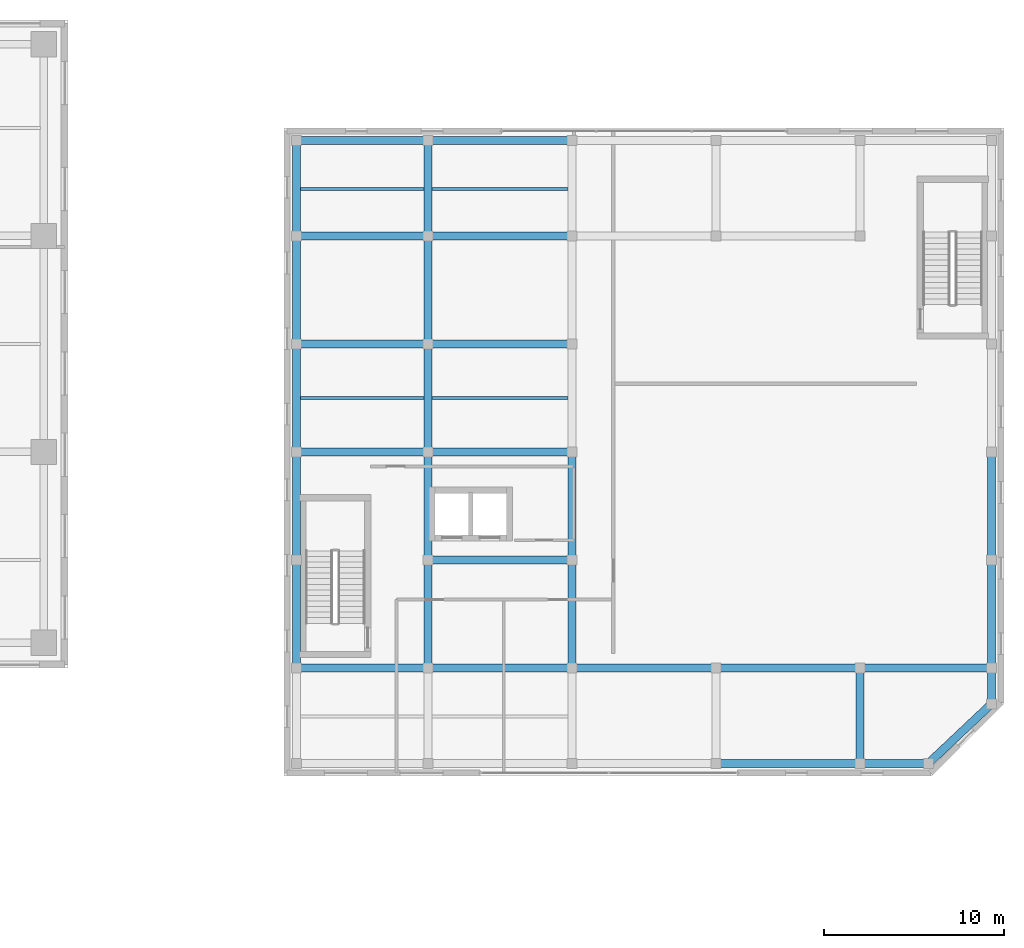
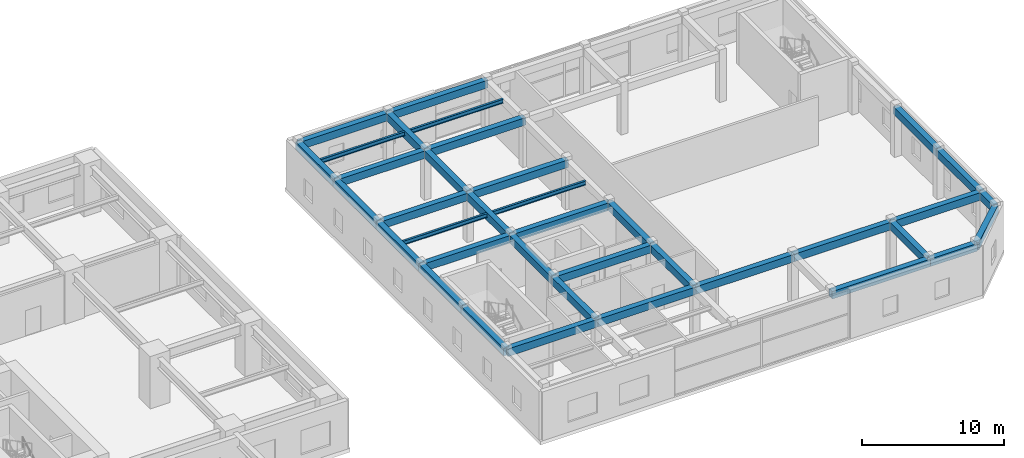
# One storey, part 13 of 26: 37 beams.
"""IFC4 building model written with IfcOpenShell, lengths in metres."""

from ifc_helpers import new_model, si_unit, direction, frame, origin, origin_2d, place, context, subcontext, project, spatial, rectangle, i_section, extrude, source, transform, mapped, material, material_profile, profile_set, type_object, element, save


model = new_model("IFC4")

# Units and contexts
model_context = context("Model", 3, precision=1e-05, world=origin(), true_north=direction((0.0, 1.0)))
body_context = subcontext(model_context, "Body", "Model", "MODEL_VIEW")
ifc_project = project(units=[si_unit("LENGTHUNIT", "METRE"), si_unit("AREAUNIT", "SQUARE_METRE"), si_unit("VOLUMEUNIT", "CUBIC_METRE"), si_unit("PLANEANGLEUNIT", "RADIAN"), si_unit("MASSUNIT", "GRAM", prefix="KILO")], contexts=[model_context])

# Site, building, storey
site_placement = place(None, origin())
site = spatial("IfcSite", under=ifc_project, at=site_placement, CompositionType="ELEMENT")
building_placement = place(site_placement, origin())
building = spatial("IfcBuilding", under=site, at=building_placement, Name="Khoralis Quay Care Tower", CompositionType="ELEMENT")
storey_placement = place(building_placement, frame((0.0, 0.0, 13.5)))
storey = spatial("IfcBuildingStorey", under=building, at=storey_placement, Name="L03", CompositionType="ELEMENT", Elevation=13.5)

# Beams
ifc_material_1 = material(Name="Concrete C40/50", Category="concrete")
ifc_material_profile_1 = material_profile(ifc_material_1, rectangle(XDim=0.449951171875, YDim=0.64990234375, at=origin_2d()), Name="Concrete C40/50")
ifc_profile_set_1 = profile_set([ifc_material_profile_1], Name="Concrete C40/50")
beam_type_1 = type_object("IfcBeamType", Name="BM-RC450X650", PredefinedType="BEAM", material=ifc_profile_set_1)
shared_shape_1 = source(origin(), body_context, "Body", "SweptSolid", [
    extrude(rectangle(XDim=0.449951171875, YDim=0.64990234375, at=origin_2d()), origin(), (0.0, 0.0, 1.0), 7.300048828125),
])
for number, where, z_axis, x_axis, name in (
    (1, (68.699951171875, 12.0, 3.875), (1.0, 0.0, 0.0), (0.0, 1.0, 0.0), "BM-SCX-L03-05"),
    (2, (100.0, 12.0, 3.875), (1.0, 0.0, 0.0), (0.0, 1.0, 0.0), "BM-SCX-L03-09"),
    (3, (68.699951171875, 24.0, 3.875), (1.0, 0.0, 0.0), (0.0, 1.0, 0.0), "BM-SCX-L03-11"),
    (4, (68.699951171875, 30.0, 3.875), (1.0, 0.0, 0.0), (0.0, 1.0, 0.0), "BM-SCX-L03-13"),
    (5, (68.699951171875, 36.0, 3.875), (1.0, 0.0, 0.0), (0.0, 1.0, 0.0), "BM-SCX-L03-15"),
    (6, (68.699951171875, 41.300048828125, 3.875), (1.0, 0.0, 0.0), (0.0, 1.0, 0.0), "BM-SCX-L03-19"),
):
    element("IfcBeam", number, at=place(storey_placement, frame(where, z_axis=z_axis, x_axis=x_axis)), inside=storey, type_object=beam_type_1, Name=name, PredefinedType="BEAM", context=body_context, shape_type="MappedRepresentation", body=[
        mapped(shared_shape_1, transform((0.0, 0.0, 0.0), scale=1.0)),
    ])
shared_shape_2 = source(origin(), body_context, "Body", "SweptSolid", [
    extrude(rectangle(XDim=0.449951171875, YDim=0.64990234375, at=origin_2d()), origin(), (0.0, 0.0, 1.0), 8.0),
])
for number, where, z_axis, x_axis, name in (
    (7, (92.0, 6.699951171875, 3.875), (1.0, 0.0, 0.0), (0.0, 1.0, 0.0), "BM-SCX-L03-04"),
    (8, (76.0, 12.0, 3.875), (1.0, 0.0, 0.0), (0.0, 1.0, 0.0), "BM-SCX-L03-06"),
    (9, (84.0, 12.0, 3.875), (1.0, 0.0, 0.0), (0.0, 1.0, 0.0), "BM-SCX-L03-07"),
    (10, (92.0, 12.0, 3.875), (1.0, 0.0, 0.0), (0.0, 1.0, 0.0), "BM-SCX-L03-08"),
    (11, (76.0, 18.0, 3.875), (1.0, 0.0, 0.0), (0.0, 1.0, 0.0), "BM-SCX-L03-10"),
    (12, (76.0, 24.0, 3.875), (1.0, 0.0, 0.0), (0.0, 1.0, 0.0), "BM-SCX-L03-12"),
    (13, (76.0, 30.0, 3.875), (1.0, 0.0, 0.0), (0.0, 1.0, 0.0), "BM-SCX-L03-14"),
    (14, (76.0, 36.0, 3.875), (1.0, 0.0, 0.0), (0.0, 1.0, 0.0), "BM-SCX-L03-16"),
    (15, (76.0, 41.300048828125, 3.875), (1.0, 0.0, 0.0), (0.0, 1.0, 0.0), "BM-SCX-L03-20"),
):
    element("IfcBeam", number, at=place(storey_placement, frame(where, z_axis=z_axis, x_axis=x_axis)), inside=storey, type_object=beam_type_1, Name=name, PredefinedType="BEAM", context=body_context, shape_type="MappedRepresentation", body=[
        mapped(shared_shape_2, transform((0.0, 0.0, 0.0), scale=1.0)),
    ])
shared_shape_3 = source(origin(), body_context, "Body", "SweptSolid", [
    extrude(rectangle(XDim=0.449951171875, YDim=0.64990234375, at=origin_2d()), origin(), (0.0, 0.0, 1.0), 5.300048828125),
])
for number, where, z_axis, x_axis, name in (
    (16, (68.699951171875, 36.0, 3.875), (0.0, 1.0, 0.0), (-1.0, 0.0, 0.0), "BM-SCY-L03-29"),
    (17, (76.0, 36.0, 3.875), (0.0, 1.0, 0.0), (-1.0, 0.0, 0.0), "BM-SCY-L03-35"),
    (18, (100.0, 6.699951171875, 3.875), (0.0, 1.0, 0.0), (-1.0, 0.0, 0.0), "BM-SCY-L03-44"),
):
    element("IfcBeam", number, at=place(storey_placement, frame(where, z_axis=z_axis, x_axis=x_axis)), inside=storey, type_object=beam_type_1, Name=name, PredefinedType="BEAM", context=body_context, shape_type="MappedRepresentation", body=[
        mapped(shared_shape_3, transform((0.0, 0.0, 0.0), scale=1.0)),
    ])
shared_shape_4 = source(origin(), body_context, "Body", "SweptSolid", [
    extrude(rectangle(XDim=0.449951171875, YDim=0.64990234375, at=origin_2d()), origin(), (0.0, 0.0, 1.0), 6.0),
])
for number, where, z_axis, x_axis, name in (
    (19, (68.699951171875, 12.0, 3.875), (0.0, 1.0, 0.0), (-1.0, 0.0, 0.0), "BM-SCY-L03-25"),
    (20, (68.699951171875, 18.0, 3.875), (0.0, 1.0, 0.0), (-1.0, 0.0, 0.0), "BM-SCY-L03-26"),
    (21, (68.699951171875, 24.0, 3.875), (0.0, 1.0, 0.0), (-1.0, 0.0, 0.0), "BM-SCY-L03-27"),
    (22, (68.699951171875, 30.0, 3.875), (0.0, 1.0, 0.0), (-1.0, 0.0, 0.0), "BM-SCY-L03-28"),
    (23, (76.0, 12.0, 3.875), (0.0, 1.0, 0.0), (-1.0, 0.0, 0.0), "BM-SCY-L03-31"),
    (24, (76.0, 18.0, 3.875), (0.0, 1.0, 0.0), (-1.0, 0.0, 0.0), "BM-SCY-L03-32"),
    (25, (76.0, 24.0, 3.875), (0.0, 1.0, 0.0), (-1.0, 0.0, 0.0), "BM-SCY-L03-33"),
    (26, (76.0, 30.0, 3.875), (0.0, 1.0, 0.0), (-1.0, 0.0, 0.0), "BM-SCY-L03-34"),
    (27, (84.0, 12.0, 3.875), (0.0, 1.0, 0.0), (-1.0, 0.0, 0.0), "BM-SCY-L03-37"),
    (28, (84.0, 18.0, 3.875), (0.0, 1.0, 0.0), (-1.0, 0.0, 0.0), "BM-SCY-L03-38"),
    (29, (107.300048828125, 12.0, 3.875), (0.0, 1.0, 0.0), (-1.0, 0.0, 0.0), "BM-SCY-L03-46"),
    (30, (107.300048828125, 18.0, 3.875), (0.0, 1.0, 0.0), (-1.0, 0.0, 0.0), "BM-SCY-L03-47"),
):
    element("IfcBeam", number, at=place(storey_placement, frame(where, z_axis=z_axis, x_axis=x_axis)), inside=storey, type_object=beam_type_1, Name=name, PredefinedType="BEAM", context=body_context, shape_type="MappedRepresentation", body=[
        mapped(shared_shape_4, transform((0.0, 0.0, 0.0), scale=1.0)),
    ])
shared_shape_5 = source(origin(), body_context, "Body", "SweptSolid", [
    extrude(rectangle(XDim=0.449951171875, YDim=0.64990234375, at=origin_2d()), origin(), (0.0, 0.0, 1.0), 3.800048828125),
])
beam_1_placement = place(storey_placement, frame((100.0, 6.699951171875, 3.875), z_axis=(1.0, 0.0, 0.0), x_axis=(0.0, 1.0, 0.0)))
element("IfcBeam", 31, at=beam_1_placement, inside=storey, type_object=beam_type_1, Name="BM-SCCH-L03-1", PredefinedType="BEAM", context=body_context, shape_type="MappedRepresentation", body=[
    mapped(shared_shape_5, transform((0.0, 0.0, 0.0), scale=1.0)),
])
shared_shape_6 = source(origin(), body_context, "Body", "SweptSolid", [
    extrude(rectangle(XDim=0.449951171875, YDim=0.64990234375, at=origin_2d()), origin(), (0.0, 0.0, 1.0), 4.810546875),
])
beam_2_placement = place(storey_placement, frame((103.800048828125, 6.699951171875, 3.875), z_axis=(0.727584339713, 0.686018242181, 0.0), x_axis=(-0.686018242181, 0.727584339713, 0.0)))
element("IfcBeam", 32, at=beam_2_placement, inside=storey, type_object=beam_type_1, Name="BM-SCCH-L03-2", PredefinedType="BEAM", context=body_context, shape_type="MappedRepresentation", body=[
    mapped(shared_shape_6, transform((0.0, 0.0, 0.0), scale=1.0)),
])
shared_shape_7 = source(origin(), body_context, "Body", "SweptSolid", [
    extrude(rectangle(XDim=0.449951171875, YDim=0.64990234375, at=origin_2d()), origin(), (0.0, 0.0, 1.0), 2.0),
])
beam_3_placement = place(storey_placement, frame((107.300048828125, 10.0, 3.875), z_axis=(0.0, 1.0, 0.0), x_axis=(-1.0, 0.0, 0.0)))
element("IfcBeam", 33, at=beam_3_placement, inside=storey, type_object=beam_type_1, Name="BM-SCCH-L03-3", PredefinedType="BEAM", context=body_context, shape_type="MappedRepresentation", body=[
    mapped(shared_shape_7, transform((0.0, 0.0, 0.0), scale=1.0)),
])
ifc_material_2 = material(Name="Steel S355", Category="steel")
ifc_material_profile_2 = material_profile(ifc_material_2, i_section(OverallWidth=0.1708984375, OverallDepth=0.35498046875, WebThickness=0.007080078125, FlangeThickness=0.01171875, FilletRadius=0.012939453125, at=origin_2d()), Name="Steel S355")
ifc_profile_set_2 = profile_set([ifc_material_profile_2], Name="Steel S355")
beam_type_2 = type_object("IfcBeamType", Name="BM-W360X51", PredefinedType="JOIST", material=ifc_profile_set_2)
shared_shape_8 = source(origin(), body_context, "Body", "SweptSolid", [
    extrude(i_section(OverallWidth=0.1708984375, OverallDepth=0.35498046875, WebThickness=0.007080078125, FlangeThickness=0.01171875, FilletRadius=0.012939453125, at=origin_2d()), origin(), (0.0, 0.0, 1.0), 6.8740234375),
])
for number, where, z_axis, x_axis, name in (
    (34, (68.9130859375, 27.0, 4.0224609375), (1.0, 0.0, 0.0), (0.0, 1.0, 0.0), "BM-SCJ-L03-53"),
    (35, (68.9130859375, 38.60009765625, 4.0224609375), (1.0, 0.0, 0.0), (0.0, 1.0, 0.0), "BM-SCJ-L03-55"),
):
    element("IfcBeam", number, at=place(storey_placement, frame(where, z_axis=z_axis, x_axis=x_axis)), inside=storey, type_object=beam_type_2, Name=name, PredefinedType="JOIST", context=body_context, shape_type="MappedRepresentation", body=[
        mapped(shared_shape_8, transform((0.0, 0.0, 0.0), scale=1.0)),
    ])
shared_shape_9 = source(origin(), body_context, "Body", "SweptSolid", [
    extrude(i_section(OverallWidth=0.1708984375, OverallDepth=0.35498046875, WebThickness=0.007080078125, FlangeThickness=0.01171875, FilletRadius=0.012939453125, at=origin_2d()), origin(), (0.0, 0.0, 1.0), 7.57421875),
])
for number, where, z_axis, x_axis, name in (
    (36, (76.212890625, 27.0, 4.0224609375), (1.0, 0.0, 0.0), (0.0, 1.0, 0.0), "BM-SCJ-L03-54"),
    (37, (76.212890625, 38.60009765625, 4.0224609375), (1.0, 0.0, 0.0), (0.0, 1.0, 0.0), "BM-SCJ-L03-56"),
):
    element("IfcBeam", number, at=place(storey_placement, frame(where, z_axis=z_axis, x_axis=x_axis)), inside=storey, type_object=beam_type_2, Name=name, PredefinedType="JOIST", context=body_context, shape_type="MappedRepresentation", body=[
        mapped(shared_shape_9, transform((0.0, 0.0, 0.0), scale=1.0)),
    ])

save(model, "model.ifc")
